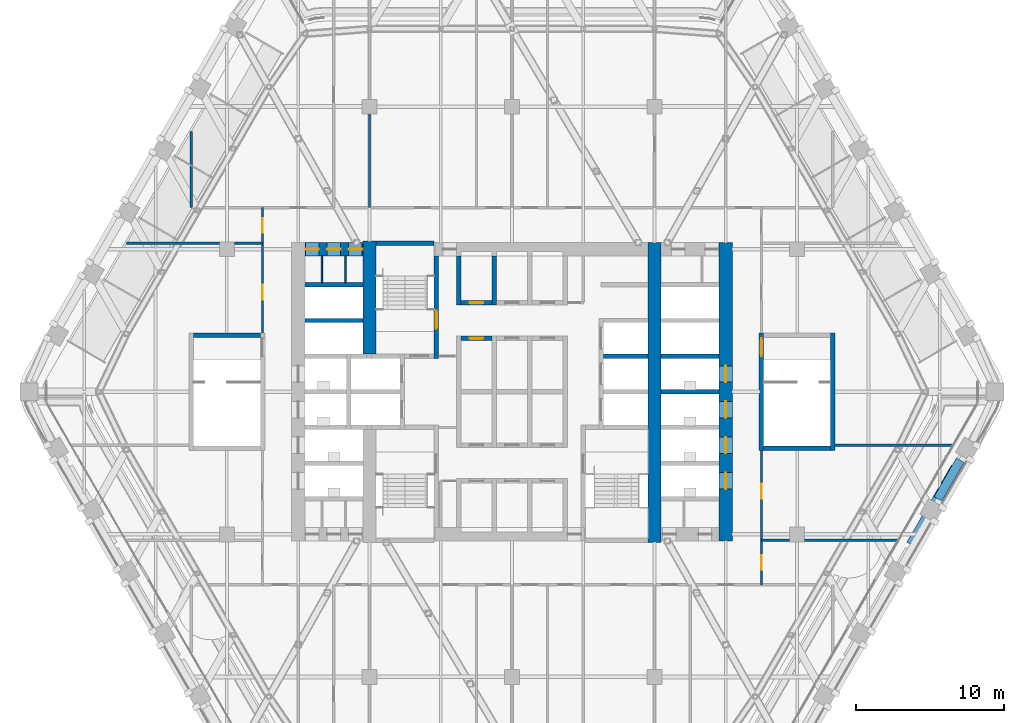
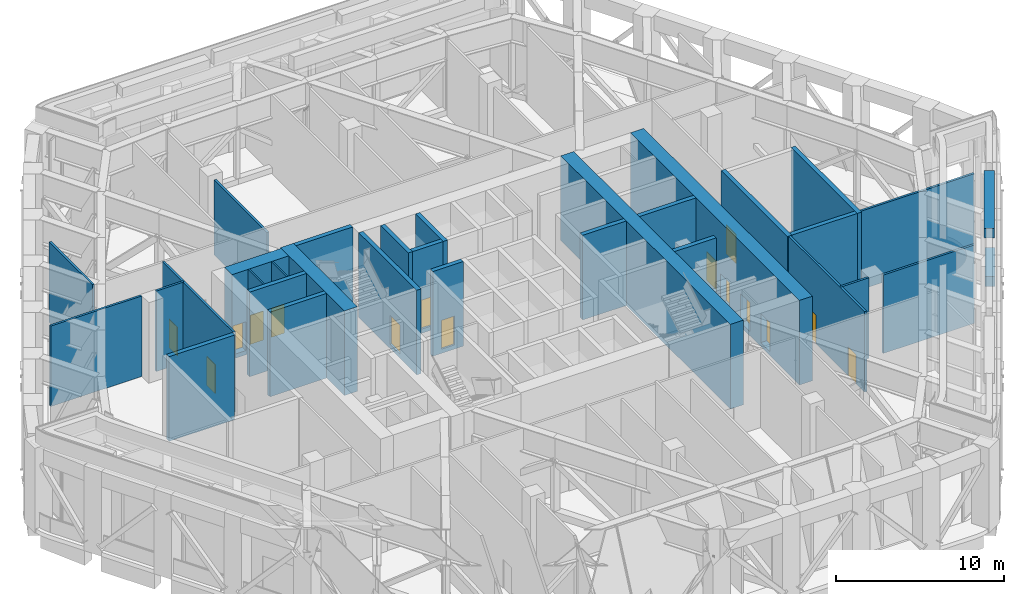
# One storey, part 18 of 27: 32 walls, 15 doors, 15 openings.
"""IFC4 building model written with IfcOpenShell, lengths in metres."""

from ifc_helpers import new_model, si_unit, direction, frame, frame_2d, origin, place, context, subcontext, project, spatial, rectangle, extrude, material, layer, layer_set, type_object, element, fill, save


model = new_model("IFC4")

# Units and contexts
model_context = context("Model", 3, precision=1e-05, world=origin(), true_north=direction((0.0, 1.0)))
body_context = subcontext(model_context, "Body", "Model", "MODEL_VIEW")
ifc_project = project(units=[si_unit("LENGTHUNIT", "METRE"), si_unit("AREAUNIT", "SQUARE_METRE"), si_unit("VOLUMEUNIT", "CUBIC_METRE"), si_unit("PLANEANGLEUNIT", "RADIAN"), si_unit("MASSUNIT", "GRAM", prefix="KILO")], contexts=[model_context])

# Site, building, storey
site_placement = place(None, origin())
site = spatial("IfcSite", under=ifc_project, at=site_placement, CompositionType="ELEMENT")
building_placement = place(site_placement, origin())
building = spatial("IfcBuilding", under=site, at=building_placement, Name="Kolab Exchange Tower", CompositionType="ELEMENT")
storey_placement = place(building_placement, frame((0.0, 0.0, 127.39990234375)))
storey = spatial("IfcBuildingStorey", under=building, at=storey_placement, Name="L25", CompositionType="ELEMENT", Elevation=127.39990234375)

# Wall, openings, doors
ifc_material_1 = material(Name="Concrete C70/85", Category="concrete")
ifc_layer_1 = layer(ifc_material_1, 0.89990234375)
ifc_layer_set_1 = layer_set([ifc_layer_1], Name="Concrete C70/85")
wall_type_1 = type_object("IfcWallType", Name="CORE WALL 900 C70/85", PredefinedType="SHEAR", material=ifc_layer_set_1)
wall_1_placement = place(storey_placement, frame((-13.949951171875, 9.60009765625, -0.2998046875), z_axis=(0.0, 0.0, 1.0), x_axis=(1.0, 0.0, 0.0)))
wall_1 = element("IfcWall", 1, at=wall_1_placement, inside=storey, type_object=wall_type_1, Name="wall/L25/core/051", PredefinedType="SHEAR", context=body_context, shape_type="SweptSolid", body=[
    extrude(rectangle(XDim=3.89990234375, YDim=0.89990234375, at=frame_2d((1.949951171875, 0.0))), origin(), (0.0, 0.0, 1.0), 6.14990234375),
])
opening_1_placement = place(wall_1_placement, frame((0.050048828125, 0.0, 0.300048828125)))
opening_1 = element("IfcOpeningElement", 2, at=opening_1_placement, cuts=wall_1, Name="Opening D6-276", PredefinedType="OPENING", context=body_context, shape_type="SweptSolid", body=[
    extrude(rectangle(XDim=0.89990234375, YDim=2.10009765625, at=frame_2d((0.449951171875, 1.050048828125))), frame((0.0, 0.4599609375, 0.0), z_axis=(0.0, -1.0, 0.0), x_axis=(1.0, 0.0, 0.0)), (0.0, 0.0, 1.0), 0.919921875),
])
opening_2_placement = place(wall_1_placement, frame((1.5, 0.0, 0.300048828125)))
opening_2 = element("IfcOpeningElement", 3, at=opening_2_placement, cuts=wall_1, Name="Opening D6-277", PredefinedType="OPENING", context=body_context, shape_type="SweptSolid", body=[
    extrude(rectangle(XDim=0.89990234375, YDim=2.10009765625, at=frame_2d((0.449951171875, 1.050048828125))), frame((0.0, 0.4599609375, 0.0), z_axis=(0.0, -1.0, 0.0), x_axis=(1.0, 0.0, 0.0)), (0.0, 0.0, 1.0), 0.919921875),
])
opening_3_placement = place(wall_1_placement, frame((2.949951171875, 0.0, 0.300048828125)))
opening_3 = element("IfcOpeningElement", 4, at=opening_3_placement, cuts=wall_1, Name="Opening D6-278", PredefinedType="OPENING", context=body_context, shape_type="SweptSolid", body=[
    extrude(rectangle(XDim=0.89990234375, YDim=2.10009765625, at=frame_2d((0.449951171875, 1.050048828125))), frame((0.0, 0.4599609375, 0.0), z_axis=(0.0, -1.0, 0.0), x_axis=(1.0, 0.0, 0.0)), (0.0, 0.0, 1.0), 0.919921875),
])
ifc_material_2 = material(Name="Steel S235", Category="steel")
door_type_1 = type_object("IfcDoorType", Name="CORE DOOR 900 EI 120", OperationType="SINGLE_SWING_LEFT", PredefinedType="DOOR", material=ifc_material_2)
door_1_placement = place(opening_1_placement, frame((0.89990234375, 0.0, 0.0), z_axis=(0.0, 0.0, 1.0), x_axis=(-1.0, 0.0, 0.0)))
door_1 = element("IfcDoor", 5, at=door_1_placement, inside=storey, type_object=door_type_1, Name="Service room door", OperationType="SINGLE_SWING_RIGHT", OverallHeight=2.10009765625, OverallWidth=0.89990234375, PredefinedType="DOOR", context=body_context, shape_type="SweptSolid", body=[
    extrude(rectangle(XDim=0.89990234375, YDim=2.10009765625, at=frame_2d((0.449951171875, 1.050048828125))), frame((0.0, 0.02490234375, 0.0), z_axis=(0.0, -1.0, 0.0), x_axis=(1.0, 0.0, 0.0)), (0.0, 0.0, 1.0), 0.050048828125),
])
fill(opening_1, door_1)
door_2_placement = place(opening_2_placement, frame((0.89990234375, 0.0, 0.0), z_axis=(0.0, 0.0, 1.0), x_axis=(-1.0, 0.0, 0.0)))
door_2 = element("IfcDoor", 6, at=door_2_placement, inside=storey, type_object=door_type_1, Name="Service room door", OperationType="SINGLE_SWING_LEFT", OverallHeight=2.10009765625, OverallWidth=0.89990234375, PredefinedType="DOOR", context=body_context, shape_type="SweptSolid", body=[
    extrude(rectangle(XDim=0.89990234375, YDim=2.10009765625, at=frame_2d((0.449951171875, 1.050048828125))), frame((0.0, 0.02490234375, 0.0), z_axis=(0.0, -1.0, 0.0), x_axis=(1.0, 0.0, 0.0)), (0.0, 0.0, 1.0), 0.050048828125),
])
fill(opening_2, door_2)
door_3_placement = place(opening_3_placement, frame((0.89990234375, 0.0, 0.0), z_axis=(0.0, 0.0, 1.0), x_axis=(-1.0, 0.0, 0.0)))
door_3 = element("IfcDoor", 7, at=door_3_placement, inside=storey, type_object=door_type_1, Name="Service room door", OperationType="SINGLE_SWING_LEFT", OverallHeight=2.10009765625, OverallWidth=0.89990234375, PredefinedType="DOOR", context=body_context, shape_type="SweptSolid", body=[
    extrude(rectangle(XDim=0.89990234375, YDim=2.10009765625, at=frame_2d((0.449951171875, 1.050048828125))), frame((0.0, 0.02490234375, 0.0), z_axis=(0.0, -1.0, 0.0), x_axis=(1.0, 0.0, 0.0)), (0.0, 0.0, 1.0), 0.050048828125),
])
fill(opening_3, door_3)

# Walls
wall_2_placement = place(storey_placement, frame((-9.60009765625, 2.550048828125, -0.2998046875), z_axis=(0.0, 0.0, 1.0), x_axis=(0.0, 1.0, 0.0)))
element("IfcWall", 8, at=wall_2_placement, inside=storey, type_object=wall_type_1, Name="wall/L25/core/062", PredefinedType="SHEAR", context=body_context, shape_type="SweptSolid", body=[
    extrude(rectangle(XDim=7.599853515625, YDim=0.89990234375, at=frame_2d((3.7998046875, 0.0))), origin(), (0.0, 0.0, 1.0), 6.14990234375),
])
wall_3_placement = place(storey_placement, frame((9.60009765625, -10.14990234375, -0.2998046875), z_axis=(0.0, 0.0, 1.0), x_axis=(0.0, 1.0, 0.0)))
element("IfcWall", 9, at=wall_3_placement, inside=storey, type_object=wall_type_1, Name="wall/L25/core/080", PredefinedType="SHEAR", context=body_context, shape_type="SweptSolid", body=[
    extrude(rectangle(XDim=20.199951171875, YDim=0.89990234375, at=frame_2d((10.10009765625, 0.0))), origin(), (0.0, 0.0, 1.0), 6.14990234375),
])

# Wall, openings, doors
wall_4_placement = place(storey_placement, frame((14.39990234375, -10.050048828125, -0.2998046875), z_axis=(0.0, 0.0, 1.0), x_axis=(0.0, 1.0, 0.0)))
wall_4 = element("IfcWall", 10, at=wall_4_placement, inside=storey, type_object=wall_type_1, Name="wall/L25/core/081", PredefinedType="SHEAR", context=body_context, shape_type="SweptSolid", body=[
    extrude(rectangle(XDim=20.10009765625, YDim=0.89990234375, at=frame_2d((10.050048828125, 0.0))), origin(), (0.0, 0.0, 1.0), 6.14990234375),
])
opening_4_placement = place(wall_4_placement, frame((3.5, 0.0, 0.300048828125)))
opening_4 = element("IfcOpeningElement", 11, at=opening_4_placement, cuts=wall_4, Name="Opening LD1-085", PredefinedType="OPENING", context=body_context, shape_type="SweptSolid", body=[
    extrude(rectangle(XDim=1.10009765625, YDim=2.10009765625, at=frame_2d((0.550048828125, 1.050048828125))), frame((0.0, 0.4599609375, 0.0), z_axis=(0.0, -1.0, 0.0), x_axis=(1.0, 0.0, 0.0)), (0.0, 0.0, 1.0), 0.919921875),
])
opening_5_placement = place(wall_4_placement, frame((5.89990234375, 0.0, 0.300048828125)))
opening_5 = element("IfcOpeningElement", 12, at=opening_5_placement, cuts=wall_4, Name="Opening LD1-086", PredefinedType="OPENING", context=body_context, shape_type="SweptSolid", body=[
    extrude(rectangle(XDim=1.10009765625, YDim=2.10009765625, at=frame_2d((0.550048828125, 1.050048828125))), frame((0.0, 0.4599609375, 0.0), z_axis=(0.0, -1.0, 0.0), x_axis=(1.0, 0.0, 0.0)), (0.0, 0.0, 1.0), 0.919921875),
])
opening_6_placement = place(wall_4_placement, frame((8.300048828125, 0.0, 0.300048828125)))
opening_6 = element("IfcOpeningElement", 13, at=opening_6_placement, cuts=wall_4, Name="Opening LD1-087", PredefinedType="OPENING", context=body_context, shape_type="SweptSolid", body=[
    extrude(rectangle(XDim=1.10009765625, YDim=2.10009765625, at=frame_2d((0.550048828125, 1.050048828125))), frame((0.0, 0.4599609375, 0.0), z_axis=(0.0, -1.0, 0.0), x_axis=(1.0, 0.0, 0.0)), (0.0, 0.0, 1.0), 0.919921875),
])
opening_7_placement = place(wall_4_placement, frame((10.699951171875, 0.0, 0.300048828125)))
opening_7 = element("IfcOpeningElement", 14, at=opening_7_placement, cuts=wall_4, Name="Opening LD1-088", PredefinedType="OPENING", context=body_context, shape_type="SweptSolid", body=[
    extrude(rectangle(XDim=1.10009765625, YDim=2.10009765625, at=frame_2d((0.550048828125, 1.050048828125))), frame((0.0, 0.4599609375, 0.0), z_axis=(0.0, -1.0, 0.0), x_axis=(1.0, 0.0, 0.0)), (0.0, 0.0, 1.0), 0.919921875),
])
ifc_material_3 = material(Name="Stainless steel 316", Category="steel")
door_type_2 = type_object("IfcDoorType", Name="LANDING DOOR 1100 PASSENGER", OperationType="DOUBLE_DOOR_SLIDING", PredefinedType="DOOR", material=ifc_material_3)
door_4_placement = place(opening_4_placement, origin())
door_4 = element("IfcDoor", 15, at=door_4_placement, inside=storey, type_object=door_type_2, Name="Landing door LR1", OperationType="DOUBLE_DOOR_SLIDING", OverallHeight=2.10009765625, OverallWidth=1.10009765625, PredefinedType="DOOR", context=body_context, shape_type="SweptSolid", body=[
    extrude(rectangle(XDim=1.10009765625, YDim=2.10009765625, at=frame_2d((0.550048828125, 1.050048828125))), frame((0.0, 0.02490234375, 0.0), z_axis=(0.0, -1.0, 0.0), x_axis=(1.0, 0.0, 0.0)), (0.0, 0.0, 1.0), 0.050048828125),
])
fill(opening_4, door_4)
door_5_placement = place(opening_5_placement, origin())
door_5 = element("IfcDoor", 16, at=door_5_placement, inside=storey, type_object=door_type_2, Name="Landing door LR2", OperationType="DOUBLE_DOOR_SLIDING", OverallHeight=2.10009765625, OverallWidth=1.10009765625, PredefinedType="DOOR", context=body_context, shape_type="SweptSolid", body=[
    extrude(rectangle(XDim=1.10009765625, YDim=2.10009765625, at=frame_2d((0.550048828125, 1.050048828125))), frame((0.0, 0.02490234375, 0.0), z_axis=(0.0, -1.0, 0.0), x_axis=(1.0, 0.0, 0.0)), (0.0, 0.0, 1.0), 0.050048828125),
])
fill(opening_5, door_5)
door_6_placement = place(opening_6_placement, origin())
door_6 = element("IfcDoor", 17, at=door_6_placement, inside=storey, type_object=door_type_2, Name="Landing door LR3", OperationType="DOUBLE_DOOR_SLIDING", OverallHeight=2.10009765625, OverallWidth=1.10009765625, PredefinedType="DOOR", context=body_context, shape_type="SweptSolid", body=[
    extrude(rectangle(XDim=1.10009765625, YDim=2.10009765625, at=frame_2d((0.550048828125, 1.050048828125))), frame((0.0, 0.02490234375, 0.0), z_axis=(0.0, -1.0, 0.0), x_axis=(1.0, 0.0, 0.0)), (0.0, 0.0, 1.0), 0.050048828125),
])
fill(opening_6, door_6)
door_7_placement = place(opening_7_placement, origin())
door_7 = element("IfcDoor", 18, at=door_7_placement, inside=storey, type_object=door_type_2, Name="Landing door LR4", OperationType="DOUBLE_DOOR_SLIDING", OverallHeight=2.10009765625, OverallWidth=1.10009765625, PredefinedType="DOOR", context=body_context, shape_type="SweptSolid", body=[
    extrude(rectangle(XDim=1.10009765625, YDim=2.10009765625, at=frame_2d((0.550048828125, 1.050048828125))), frame((0.0, 0.02490234375, 0.0), z_axis=(0.0, -1.0, 0.0), x_axis=(1.0, 0.0, 0.0)), (0.0, 0.0, 1.0), 0.050048828125),
])
fill(opening_7, door_7)

# Walls
ifc_material_4 = material(Name="Concrete C50/60", Category="concrete")
ifc_layer_2 = layer(ifc_material_4, 0.300048828125)
ifc_layer_set_2 = layer_set([ifc_layer_2], Name="Concrete C50/60")
wall_type_2 = type_object("IfcWallType", Name="LIFT SHAFT WALL 300 C50/60", PredefinedType="STANDARD", material=ifc_layer_set_2)
wall_5_placement = place(storey_placement, frame((10.050048828125, 0.0, -0.2998046875), z_axis=(0.0, 0.0, 1.0), x_axis=(1.0, 0.0, 0.0)))
element("IfcWall", 19, at=wall_5_placement, inside=storey, type_object=wall_type_2, Name="wall/L25/core/030", PredefinedType="STANDARD", context=body_context, shape_type="SweptSolid", body=[
    extrude(rectangle(XDim=3.89990234375, YDim=0.300048828125, at=frame_2d((1.949951171875, 0.0))), origin(), (0.0, 0.0, 1.0), 4.699951171875),
])
wall_6_placement = place(storey_placement, frame((6.14990234375, 2.39990234375, -0.2998046875), z_axis=(0.0, 0.0, 1.0), x_axis=(1.0, 0.0, 0.0)))
element("IfcWall", 20, at=wall_6_placement, inside=storey, type_object=wall_type_2, Name="wall/L25/core/035", PredefinedType="STANDARD", context=body_context, shape_type="SweptSolid", body=[
    extrude(rectangle(XDim=3.0, YDim=0.300048828125, at=frame_2d((1.5, 0.0))), origin(), (0.0, 0.0, 1.0), 6.14990234375),
])
wall_7_placement = place(storey_placement, frame((10.050048828125, 2.39990234375, -0.2998046875), z_axis=(0.0, 0.0, 1.0), x_axis=(1.0, 0.0, 0.0)))
element("IfcWall", 21, at=wall_7_placement, inside=storey, type_object=wall_type_2, Name="wall/L25/core/036", PredefinedType="STANDARD", context=body_context, shape_type="SweptSolid", body=[
    extrude(rectangle(XDim=3.89990234375, YDim=0.300048828125, at=frame_2d((1.949951171875, 0.0))), origin(), (0.0, 0.0, 1.0), 6.14990234375),
])

# Wall, opening, door
wall_8_placement = place(storey_placement, frame((-3.449951171875, 3.60009765625, -0.2998046875), z_axis=(0.0, 0.0, 1.0), x_axis=(1.0, 0.0, 0.0)))
wall_8 = element("IfcWall", 22, at=wall_8_placement, inside=storey, type_object=wall_type_2, Name="wall/L25/core/037", PredefinedType="STANDARD", context=body_context, shape_type="SweptSolid", body=[
    extrude(rectangle(XDim=2.099853515625, YDim=0.300048828125, at=frame_2d((1.0498046875, 0.0))), origin(), (0.0, 0.0, 1.0), 6.14990234375),
])
opening_8_placement = place(wall_8_placement, frame((0.60009765625, 0.0, 0.300048828125)))
opening_8 = element("IfcOpeningElement", 23, at=opening_8_placement, cuts=wall_8, Name="Opening D6-266", PredefinedType="OPENING", context=body_context, shape_type="SweptSolid", body=[
    extrude(rectangle(XDim=0.89990234375, YDim=2.10009765625, at=frame_2d((0.449951171875, 1.050048828125))), frame((0.0, 0.16015625, 0.0), z_axis=(0.0, -1.0, 0.0), x_axis=(1.0, 0.0, 0.0)), (0.0, 0.0, 1.0), 0.320068359375),
])
door_8_placement = place(opening_8_placement, frame((0.89990234375, 0.0, 0.0), z_axis=(0.0, 0.0, 1.0), x_axis=(-1.0, 0.0, 0.0)))
door_8 = element("IfcDoor", 24, at=door_8_placement, inside=storey, type_object=door_type_1, Name="Service room door", OperationType="SINGLE_SWING_LEFT", OverallHeight=2.10009765625, OverallWidth=0.89990234375, PredefinedType="DOOR", context=body_context, shape_type="SweptSolid", body=[
    extrude(rectangle(XDim=0.89990234375, YDim=2.10009765625, at=frame_2d((0.449951171875, 1.050048828125))), frame((0.0, 0.02490234375, 0.0), z_axis=(0.0, -1.0, 0.0), x_axis=(1.0, 0.0, 0.0)), (0.0, 0.0, 1.0), 0.050048828125),
])
fill(opening_8, door_8)

# Wall
wall_9_placement = place(storey_placement, frame((-13.949951171875, 4.800048828125, -0.2998046875), z_axis=(0.0, 0.0, 1.0), x_axis=(1.0, 0.0, 0.0)))
element("IfcWall", 25, at=wall_9_placement, inside=storey, type_object=wall_type_2, Name="wall/L25/core/042", PredefinedType="STANDARD", context=body_context, shape_type="SweptSolid", body=[
    extrude(rectangle(XDim=3.89990234375, YDim=0.300048828125, at=frame_2d((1.949951171875, 0.0))), origin(), (0.0, 0.0, 1.0), 6.14990234375),
])

# Wall, opening, door
wall_10_placement = place(storey_placement, frame((-3.449951171875, 6.0, -0.2998046875), z_axis=(0.0, 0.0, 1.0), x_axis=(1.0, 0.0, 0.0)))
wall_10 = element("IfcWall", 26, at=wall_10_placement, inside=storey, type_object=wall_type_2, Name="wall/L25/core/045", PredefinedType="STANDARD", context=body_context, shape_type="SweptSolid", body=[
    extrude(rectangle(XDim=2.099853515625, YDim=0.300048828125, at=frame_2d((1.0498046875, 0.0))), origin(), (0.0, 0.0, 1.0), 6.14990234375),
])
opening_9_placement = place(wall_10_placement, frame((0.60009765625, 0.0, 0.300048828125)))
opening_9 = element("IfcOpeningElement", 27, at=opening_9_placement, cuts=wall_10, Name="Opening D6-263", PredefinedType="OPENING", context=body_context, shape_type="SweptSolid", body=[
    extrude(rectangle(XDim=0.89990234375, YDim=2.10009765625, at=frame_2d((0.449951171875, 1.050048828125))), frame((0.0, 0.16015625, 0.0), z_axis=(0.0, -1.0, 0.0), x_axis=(1.0, 0.0, 0.0)), (0.0, 0.0, 1.0), 0.320068359375),
])
door_9_placement = place(opening_9_placement, origin())
door_9 = element("IfcDoor", 28, at=door_9_placement, inside=storey, type_object=door_type_1, Name="Service room door", OperationType="SINGLE_SWING_LEFT", OverallHeight=2.10009765625, OverallWidth=0.89990234375, PredefinedType="DOOR", context=body_context, shape_type="SweptSolid", body=[
    extrude(rectangle(XDim=0.89990234375, YDim=2.10009765625, at=frame_2d((0.449951171875, 1.050048828125))), frame((0.0, 0.02490234375, 0.0), z_axis=(0.0, -1.0, 0.0), x_axis=(1.0, 0.0, 0.0)), (0.0, 0.0, 1.0), 0.050048828125),
])
fill(opening_9, door_9)

# Walls
wall_11_placement = place(storey_placement, frame((-13.949951171875, 7.199951171875, -0.2998046875), z_axis=(0.0, 0.0, 1.0), x_axis=(1.0, 0.0, 0.0)))
element("IfcWall", 29, at=wall_11_placement, inside=storey, type_object=wall_type_2, Name="wall/L25/core/048", PredefinedType="STANDARD", context=body_context, shape_type="SweptSolid", body=[
    extrude(rectangle(XDim=3.89990234375, YDim=0.300048828125, at=frame_2d((1.949951171875, 0.0))), origin(), (0.0, 0.0, 1.0), 6.14990234375),
])
for number, where, z_axis, x_axis, name in (
    (30, (-3.60009765625, 5.85009765625, -0.2998046875), (0.0, 0.0, 1.0), (0.0, 1.0, 0.0), "wall/L25/core/068"),
    (31, (-1.199951171875, 5.85009765625, -0.2998046875), (0.0, 0.0, 1.0), (0.0, 1.0, 0.0), "wall/L25/core/071"),
):
    element("IfcWall", number, at=place(storey_placement, frame(where, z_axis=z_axis, x_axis=x_axis)), inside=storey, type_object=wall_type_2, Name=name, PredefinedType="STANDARD", context=body_context, shape_type="SweptSolid", body=[
        extrude(rectangle(XDim=3.2998046875, YDim=0.300048828125, at=frame_2d((1.64990234375, 0.0))), origin(), (0.0, 0.0, 1.0), 6.14990234375),
    ])
ifc_material_5 = material(Name="Gypsum board", Category="gypsum")
ifc_layer_3 = layer(ifc_material_5, 0.10009765625)
ifc_layer_set_3 = layer_set([ifc_layer_3], Name="Gypsum board")
wall_type_3 = type_object("IfcWallType", Name="PARTITION 100", PredefinedType="PARTITIONING", material=ifc_layer_set_3)
for number, where, z_axis, x_axis, name in (
    (32, (-11.199951171875, 7.35009765625, 0.0), (0.0, 0.0, 1.0), (0.0, 1.0, 0.0), "Partition 028"),
    (33, (-12.800048828125, 7.35009765625, 0.0), (0.0, 0.0, 1.0), (0.0, 1.0, 0.0), "Partition 032"),
):
    element("IfcWall", number, at=place(storey_placement, frame(where, z_axis=z_axis, x_axis=x_axis)), inside=storey, type_object=wall_type_3, Name=name, PredefinedType="PARTITIONING", context=body_context, shape_type="SweptSolid", body=[
        extrude(rectangle(XDim=1.7998046875, YDim=0.10009765625, at=frame_2d((0.89990234375, 0.0))), origin(), (0.0, 0.0, 1.0), 5.85009765625),
    ])

# Wall, openings, doors
ifc_layer_4 = layer(ifc_material_5, 0.14990234375)
ifc_layer_set_4 = layer_set([ifc_layer_4], Name="Gypsum board")
wall_type_4 = type_object("IfcWallType", Name="PARTITION 150 FIRE-RATED", PredefinedType="PARTITIONING", material=ifc_layer_set_4)
wall_12_placement = place(storey_placement, frame((16.800048828125, -13.0, 0.0), z_axis=(0.0, 0.0, 1.0), x_axis=(0.0, 1.0, 0.0)))
wall_12 = element("IfcWall", 34, at=wall_12_placement, inside=storey, type_object=wall_type_4, Name="Partition 002", PredefinedType="PARTITIONING", context=body_context, shape_type="SweptSolid", body=[
    extrude(rectangle(XDim=9.050048828125, YDim=0.14990234375, at=frame_2d((4.52490234375, 0.0))), origin(), (0.0, 0.0, 1.0), 5.85009765625),
])
opening_10_placement = place(wall_12_placement, frame((1.0, 0.0, 0.0)))
opening_10 = element("IfcOpeningElement", 35, at=opening_10_placement, cuts=wall_12, Name="Opening D1-376", PredefinedType="OPENING", context=body_context, shape_type="SweptSolid", body=[
    extrude(rectangle(XDim=1.0, YDim=2.10009765625, at=frame_2d((0.5, 1.050048828125))), frame((0.0, 0.0849609375, 0.0), z_axis=(0.0, -1.0, 0.0), x_axis=(1.0, 0.0, 0.0)), (0.0, 0.0, 1.0), 0.169921875),
])
opening_11_placement = place(wall_12_placement, frame((5.800048828125, 0.0, 0.0)))
opening_11 = element("IfcOpeningElement", 36, at=opening_11_placement, cuts=wall_12, Name="Opening D1-377", PredefinedType="OPENING", context=body_context, shape_type="SweptSolid", body=[
    extrude(rectangle(XDim=1.0, YDim=2.10009765625, at=frame_2d((0.5, 1.050048828125))), frame((0.0, 0.0849609375, 0.0), z_axis=(0.0, -1.0, 0.0), x_axis=(1.0, 0.0, 0.0)), (0.0, 0.0, 1.0), 0.169921875),
])
door_type_3 = type_object("IfcDoorType", Name="FLUSH DOOR 1000 FD60", OperationType="SINGLE_SWING_LEFT", PredefinedType="DOOR", material=ifc_material_2)
door_10_placement = place(opening_10_placement, frame((1.0, 0.0, 0.0), z_axis=(0.0, 0.0, 1.0), x_axis=(-1.0, 0.0, 0.0)))
door_10 = element("IfcDoor", 37, at=door_10_placement, inside=storey, type_object=door_type_3, Name="Door L25-069", OperationType="SINGLE_SWING_LEFT", OverallHeight=2.10009765625, OverallWidth=1.0, PredefinedType="DOOR", context=body_context, shape_type="SweptSolid", body=[
    extrude(rectangle(XDim=1.0, YDim=2.10009765625, at=frame_2d((0.5, 1.050048828125))), frame((0.0, 0.02490234375, 0.0), z_axis=(0.0, -1.0, 0.0), x_axis=(1.0, 0.0, 0.0)), (0.0, 0.0, 1.0), 0.050048828125),
])
fill(opening_10, door_10)
door_11_placement = place(opening_11_placement, frame((1.0, 0.0, 0.0), z_axis=(0.0, 0.0, 1.0), x_axis=(-1.0, 0.0, 0.0)))
door_11 = element("IfcDoor", 38, at=door_11_placement, inside=storey, type_object=door_type_3, Name="Door L25-070", OperationType="SINGLE_SWING_RIGHT", OverallHeight=2.10009765625, OverallWidth=1.0, PredefinedType="DOOR", context=body_context, shape_type="SweptSolid", body=[
    extrude(rectangle(XDim=1.0, YDim=2.10009765625, at=frame_2d((0.5, 1.050048828125))), frame((0.0, 0.02490234375, 0.0), z_axis=(0.0, -1.0, 0.0), x_axis=(1.0, 0.0, 0.0)), (0.0, 0.0, 1.0), 0.050048828125),
])
fill(opening_11, door_11)

# Wall
wall_13_placement = place(storey_placement, frame((-9.60009765625, 12.39990234375, 0.0), z_axis=(0.0, 0.0, 1.0), x_axis=(0.0, 1.0, 0.0)))
element("IfcWall", 39, at=wall_13_placement, inside=storey, type_object=wall_type_4, Name="Partition 025", PredefinedType="PARTITIONING", context=body_context, shape_type="SweptSolid", body=[
    extrude(rectangle(XDim=6.300048828125, YDim=0.14990234375, at=frame_2d((3.14990234375, 0.0))), origin(), (0.0, 0.0, 1.0), 5.443115234375),
])

# Wall, openings, doors
wall_14_placement = place(storey_placement, frame((-16.800048828125, 3.949951171875, 0.0), z_axis=(0.0, 0.0, 1.0), x_axis=(0.0, 1.0, 0.0)))
wall_14 = element("IfcWall", 40, at=wall_14_placement, inside=storey, type_object=wall_type_4, Name="Partition 035", PredefinedType="PARTITIONING", context=body_context, shape_type="SweptSolid", body=[
    extrude(rectangle(XDim=8.449951171875, YDim=0.14990234375, at=frame_2d((4.22509765625, 0.0))), origin(), (0.0, 0.0, 1.0), 5.85009765625),
])
opening_12_placement = place(wall_14_placement, frame((2.25, 0.0, 0.0)))
opening_12 = element("IfcOpeningElement", 41, at=opening_12_placement, cuts=wall_14, Name="Opening D1-382", PredefinedType="OPENING", context=body_context, shape_type="SweptSolid", body=[
    extrude(rectangle(XDim=1.0, YDim=2.10009765625, at=frame_2d((0.5, 1.050048828125))), frame((0.0, 0.0849609375, 0.0), z_axis=(0.0, -1.0, 0.0), x_axis=(1.0, 0.0, 0.0)), (0.0, 0.0, 1.0), 0.169921875),
])
opening_13_placement = place(wall_14_placement, frame((6.75, 0.0, 0.0)))
opening_13 = element("IfcOpeningElement", 42, at=opening_13_placement, cuts=wall_14, Name="Opening D1-383", PredefinedType="OPENING", context=body_context, shape_type="SweptSolid", body=[
    extrude(rectangle(XDim=1.0, YDim=2.10009765625, at=frame_2d((0.5, 1.050048828125))), frame((0.0, 0.0849609375, 0.0), z_axis=(0.0, -1.0, 0.0), x_axis=(1.0, 0.0, 0.0)), (0.0, 0.0, 1.0), 0.169921875),
])
door_12_placement = place(opening_12_placement, origin())
door_12 = element("IfcDoor", 43, at=door_12_placement, inside=storey, type_object=door_type_3, Name="Door L25-075", OperationType="SINGLE_SWING_LEFT", OverallHeight=2.10009765625, OverallWidth=1.0, PredefinedType="DOOR", context=body_context, shape_type="SweptSolid", body=[
    extrude(rectangle(XDim=1.0, YDim=2.10009765625, at=frame_2d((0.5, 1.050048828125))), frame((0.0, 0.02490234375, 0.0), z_axis=(0.0, -1.0, 0.0), x_axis=(1.0, 0.0, 0.0)), (0.0, 0.0, 1.0), 0.050048828125),
])
fill(opening_12, door_12)
door_13_placement = place(opening_13_placement, origin())
door_13 = element("IfcDoor", 44, at=door_13_placement, inside=storey, type_object=door_type_3, Name="Door L25-076", OperationType="SINGLE_SWING_LEFT", OverallHeight=2.10009765625, OverallWidth=1.0, PredefinedType="DOOR", context=body_context, shape_type="SweptSolid", body=[
    extrude(rectangle(XDim=1.0, YDim=2.10009765625, at=frame_2d((0.5, 1.050048828125))), frame((0.0, 0.02490234375, 0.0), z_axis=(0.0, -1.0, 0.0), x_axis=(1.0, 0.0, 0.0)), (0.0, 0.0, 1.0), 0.050048828125),
])
fill(opening_13, door_13)

# Walls
wall_15_placement = place(storey_placement, frame((-21.60009765625, 12.39990234375, 0.0), z_axis=(0.0, 0.0, 1.0), x_axis=(0.0, 1.0, 0.0)))
element("IfcWall", 45, at=wall_15_placement, inside=storey, type_object=wall_type_4, Name="Partition 037", PredefinedType="PARTITIONING", context=body_context, shape_type="SweptSolid", body=[
    extrude(rectangle(XDim=5.144775390625, YDim=0.14990234375, at=frame_2d((2.572265625, 0.0))), origin(), (0.0, 0.0, 1.0), 5.85009765625),
])
wall_16_placement = place(storey_placement, frame((16.800048828125, -10.0, 0.0), z_axis=(0.0, 0.0, 1.0), x_axis=(1.0, 0.0, 0.0)))
element("IfcWall", 46, at=wall_16_placement, inside=storey, type_object=wall_type_4, Name="Partition 041", PredefinedType="PARTITIONING", context=body_context, shape_type="SweptSolid", body=[
    extrude(rectangle(XDim=1.89990234375, YDim=0.14990234375, at=frame_2d((0.949951171875, 0.0))), origin(), (0.0, 0.0, 1.0), 5.85009765625),
])
wall_17_placement = place(storey_placement, frame((19.699951171875, -10.0, 0.0), z_axis=(0.0, 0.0, 1.0), x_axis=(1.0, 0.0, 0.0)))
element("IfcWall", 47, at=wall_17_placement, inside=storey, type_object=wall_type_4, Name="Partition 042", PredefinedType="PARTITIONING", context=body_context, shape_type="SweptSolid", body=[
    extrude(rectangle(XDim=6.255859375, YDim=0.14990234375, at=frame_2d((3.1279296875, 0.0))), origin(), (0.0, 0.0, 1.0), 5.7001953125),
])
wall_18_placement = place(storey_placement, frame((21.75, -3.60009765625, 0.0), z_axis=(0.0, 0.0, 1.0), x_axis=(1.0, 0.0, 0.0)))
element("IfcWall", 48, at=wall_18_placement, inside=storey, type_object=wall_type_4, Name="Partition 045", PredefinedType="PARTITIONING", context=body_context, shape_type="SweptSolid", body=[
    extrude(rectangle(XDim=7.90087890625, YDim=0.14990234375, at=frame_2d((3.950439453125, 0.0))), origin(), (0.0, 0.0, 1.0), 5.7001953125),
])
wall_19_placement = place(storey_placement, frame((-25.955810546875, 10.0, 0.0), z_axis=(0.0, 0.0, 1.0), x_axis=(1.0, 0.0, 0.0)))
element("IfcWall", 49, at=wall_19_placement, inside=storey, type_object=wall_type_4, Name="Partition 047", PredefinedType="PARTITIONING", context=body_context, shape_type="SweptSolid", body=[
    extrude(rectangle(XDim=6.255859375, YDim=0.14990234375, at=frame_2d((3.1279296875, 0.0))), origin(), (0.0, 0.0, 1.0), 5.85009765625),
])
wall_20_placement = place(storey_placement, frame((-18.699951171875, 10.0, 0.0), z_axis=(0.0, 0.0, 1.0), x_axis=(1.0, 0.0, 0.0)))
element("IfcWall", 50, at=wall_20_placement, inside=storey, type_object=wall_type_4, Name="Partition 048", PredefinedType="PARTITIONING", context=body_context, shape_type="SweptSolid", body=[
    extrude(rectangle(XDim=1.89990234375, YDim=0.14990234375, at=frame_2d((0.949951171875, 0.0))), origin(), (0.0, 0.0, 1.0), 5.85009765625),
])
ifc_material_6 = material(Name="Granite facing", Category="masonry")
ifc_layer_5 = layer(ifc_material_6, 0.0400390625)
ifc_material_7 = material(Name="Concrete C40/50 precast", Category="concrete")
ifc_layer_6 = layer(ifc_material_7, 0.56005859375)
ifc_layer_set_5 = layer_set([ifc_layer_5, ifc_layer_6], Name="Concrete C40/50 precast")
wall_type_5 = type_object("IfcWallType", Name="PLANTER BOX 600 X 700 SOIL DEPTH 550", PredefinedType="USERDEFINED", material=ifc_layer_set_5)
wall_21_placement = place(storey_placement, frame((30.18701171875, -4.611328125, 0.0), z_axis=(0.0, 0.0, 1.0), x_axis=(-0.499990139034, -0.866031096941, 0.0)))
element("IfcWall", 51, at=wall_21_placement, inside=storey, type_object=wall_type_5, Name="Planter", ObjectType="PLANTER", PredefinedType="USERDEFINED", context=body_context, shape_type="SweptSolid", body=[
    extrude(rectangle(XDim=3.0, YDim=0.60009765625, at=frame_2d((1.5, 0.0))), origin(), (0.0, 0.0, 1.0), 0.7001953125),
])
wall_22_placement = place(storey_placement, frame((29.86083984375, -5.076416015625, 6.0), z_axis=(0.0, 0.0, 1.0), x_axis=(-0.499990139034, -0.866031096941, 0.0)))
element("IfcWall", 52, at=wall_22_placement, inside=storey, type_object=wall_type_5, Name="Planter", ObjectType="PLANTER", PredefinedType="USERDEFINED", context=body_context, shape_type="SweptSolid", body=[
    extrude(rectangle(XDim=6.0, YDim=0.60009765625, at=frame_2d((3.0, 0.0))), origin(), (0.0, 0.0, 1.0), 0.7001953125),
])
ifc_layer_7 = layer(ifc_material_4, 0.300048828125)
ifc_layer_set_6 = layer_set([ifc_layer_7], Name="Concrete C50/60")
wall_type_6 = type_object("IfcWallType", Name="STAIR ENCLOSURE WALL 300 C50/60", PredefinedType="STANDARD", material=ifc_layer_set_6)
for number, where, z_axis, x_axis, name in (
    (53, (16.949951171875, -3.800048828125, -0.2998046875), (0.0, 0.0, 1.0), (1.0, 0.0, 0.0), "wall/L25/core/013"),
    (54, (-21.449951171875, 3.800048828125, -0.2998046875), (0.0, 0.0, 1.0), (1.0, 0.0, 0.0), "wall/L25/core/040"),
):
    element("IfcWall", number, at=place(storey_placement, frame(where, z_axis=z_axis, x_axis=x_axis)), inside=storey, type_object=wall_type_6, Name=name, PredefinedType="STANDARD", context=body_context, shape_type="SweptSolid", body=[
        extrude(rectangle(XDim=4.5, YDim=0.300048828125, at=frame_2d((2.25, 0.0))), origin(), (0.0, 0.0, 1.0), 6.14990234375),
    ])
wall_23_placement = place(storey_placement, frame((-9.14990234375, 10.0, -0.2998046875), z_axis=(0.0, 0.0, 1.0), x_axis=(1.0, 0.0, 0.0)))
element("IfcWall", 55, at=wall_23_placement, inside=storey, type_object=wall_type_6, Name="wall/L25/core/054", PredefinedType="STANDARD", context=body_context, shape_type="SweptSolid", body=[
    extrude(rectangle(XDim=3.89990234375, YDim=0.300048828125, at=frame_2d((1.949951171875, 0.0))), origin(), (0.0, 0.0, 1.0), 6.14990234375),
])

# Wall, opening, door
wall_24_placement = place(storey_placement, frame((-5.10009765625, 2.25, -0.2998046875), z_axis=(0.0, 0.0, 1.0), x_axis=(0.0, 1.0, 0.0)))
wall_24 = element("IfcWall", 56, at=wall_24_placement, inside=storey, type_object=wall_type_6, Name="wall/L25/core/065", PredefinedType="STANDARD", context=body_context, shape_type="SweptSolid", body=[
    extrude(rectangle(XDim=6.89990234375, YDim=0.300048828125, at=frame_2d((3.449951171875, 0.0))), origin(), (0.0, 0.0, 1.0), 6.14990234375),
])
opening_14_placement = place(wall_24_placement, frame((2.0, 0.0, 0.300048828125)))
opening_14 = element("IfcOpeningElement", 57, at=opening_14_placement, cuts=wall_24, Name="Opening D4-056", PredefinedType="OPENING", context=body_context, shape_type="SweptSolid", body=[
    extrude(rectangle(XDim=1.199951171875, YDim=2.10009765625, at=frame_2d((0.60009765625, 1.050048828125))), frame((0.0, 0.16015625, 0.0), z_axis=(0.0, -1.0, 0.0), x_axis=(1.0, 0.0, 0.0)), (0.0, 0.0, 1.0), 0.320068359375),
])
door_type_4 = type_object("IfcDoorType", Name="STAIR DOOR 1200 EI 120", OperationType="SINGLE_SWING_LEFT", PredefinedType="DOOR", material=ifc_material_2)
door_14_placement = place(opening_14_placement, origin())
door_14 = element("IfcDoor", 58, at=door_14_placement, inside=storey, type_object=door_type_4, Name="Stair 1 door", OperationType="SINGLE_SWING_LEFT", OverallHeight=2.10009765625, OverallWidth=1.199951171875, PredefinedType="DOOR", context=body_context, shape_type="SweptSolid", body=[
    extrude(rectangle(XDim=1.199951171875, YDim=2.10009765625, at=frame_2d((0.60009765625, 1.050048828125))), frame((0.0, 0.02490234375, 0.0), z_axis=(0.0, -1.0, 0.0), x_axis=(1.0, 0.0, 0.0)), (0.0, 0.0, 1.0), 0.050048828125),
])
fill(opening_14, door_14)

wall_25_placement = place(storey_placement, frame((16.800048828125, -3.949951171875, -0.2998046875), z_axis=(0.0, 0.0, 1.0), x_axis=(0.0, 1.0, 0.0)))
wall_25 = element("IfcWall", 59, at=wall_25_placement, inside=storey, type_object=wall_type_6, Name="wall/L25/core/082", PredefinedType="STANDARD", context=body_context, shape_type="SweptSolid", body=[
    extrude(rectangle(XDim=7.89990234375, YDim=0.300048828125, at=frame_2d((3.949951171875, 0.0))), origin(), (0.0, 0.0, 1.0), 6.14990234375),
])
opening_15_placement = place(wall_25_placement, frame((6.35009765625, 0.0, 0.300048828125)))
opening_15 = element("IfcOpeningElement", 60, at=opening_15_placement, cuts=wall_25, Name="Opening D4-059", PredefinedType="OPENING", context=body_context, shape_type="SweptSolid", body=[
    extrude(rectangle(XDim=1.199951171875, YDim=2.10009765625, at=frame_2d((0.60009765625, 1.050048828125))), frame((0.0, 0.16015625, 0.0), z_axis=(0.0, -1.0, 0.0), x_axis=(1.0, 0.0, 0.0)), (0.0, 0.0, 1.0), 0.320068359375),
])
door_15_placement = place(opening_15_placement, frame((1.199951171875, 0.0, 0.0), z_axis=(0.0, 0.0, 1.0), x_axis=(-1.0, 0.0, 0.0)))
door_15 = element("IfcDoor", 61, at=door_15_placement, inside=storey, type_object=door_type_4, Name="Stair 4 door", OperationType="SINGLE_SWING_RIGHT", OverallHeight=2.10009765625, OverallWidth=1.199951171875, PredefinedType="DOOR", context=body_context, shape_type="SweptSolid", body=[
    extrude(rectangle(XDim=1.199951171875, YDim=2.10009765625, at=frame_2d((0.60009765625, 1.050048828125))), frame((0.0, 0.02490234375, 0.0), z_axis=(0.0, -1.0, 0.0), x_axis=(1.0, 0.0, 0.0)), (0.0, 0.0, 1.0), 0.050048828125),
])
fill(opening_15, door_15)

# Wall
wall_26_placement = place(storey_placement, frame((21.60009765625, -3.949951171875, -0.2998046875), z_axis=(0.0, 0.0, 1.0), x_axis=(0.0, 1.0, 0.0)))
element("IfcWall", 62, at=wall_26_placement, inside=storey, type_object=wall_type_6, Name="wall/L25/core/083", PredefinedType="STANDARD", context=body_context, shape_type="SweptSolid", body=[
    extrude(rectangle(XDim=7.89990234375, YDim=0.300048828125, at=frame_2d((3.949951171875, 0.0))), origin(), (0.0, 0.0, 1.0), 6.14990234375),
])

save(model, "model.ifc")
